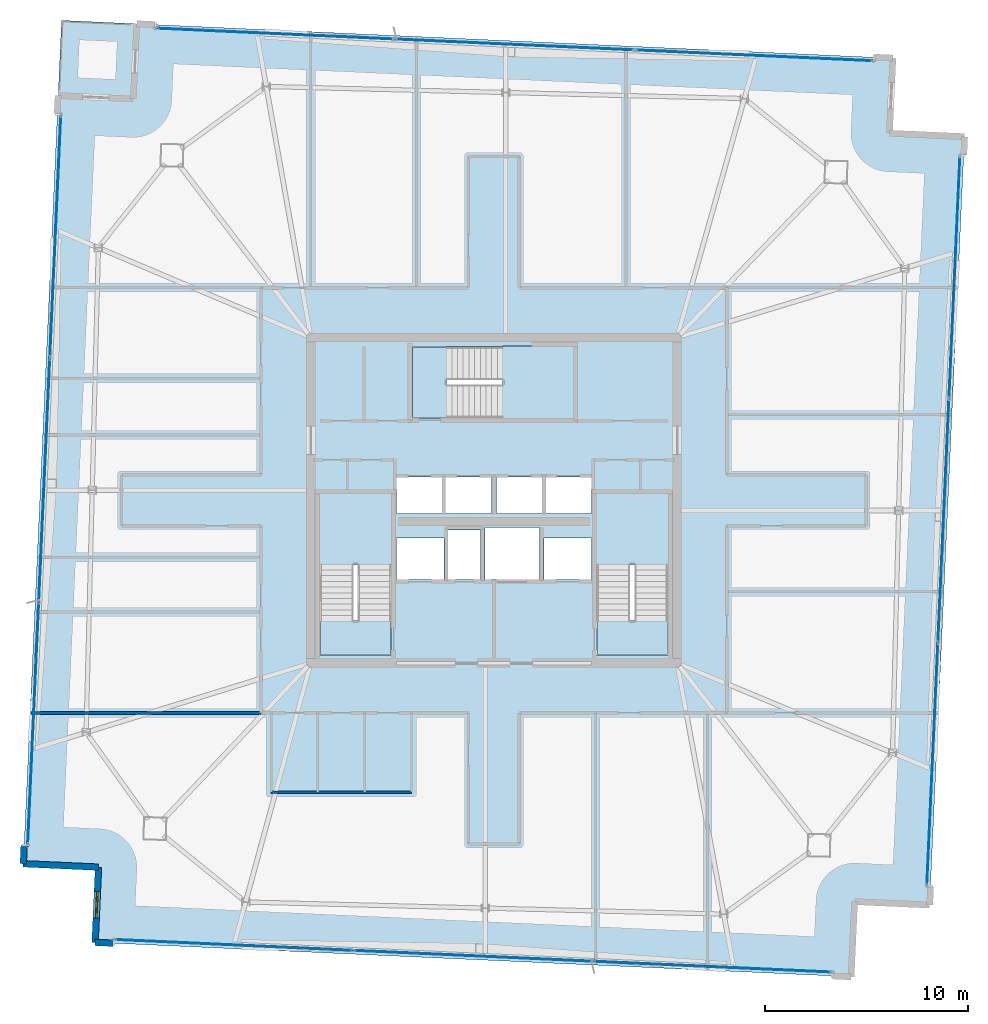
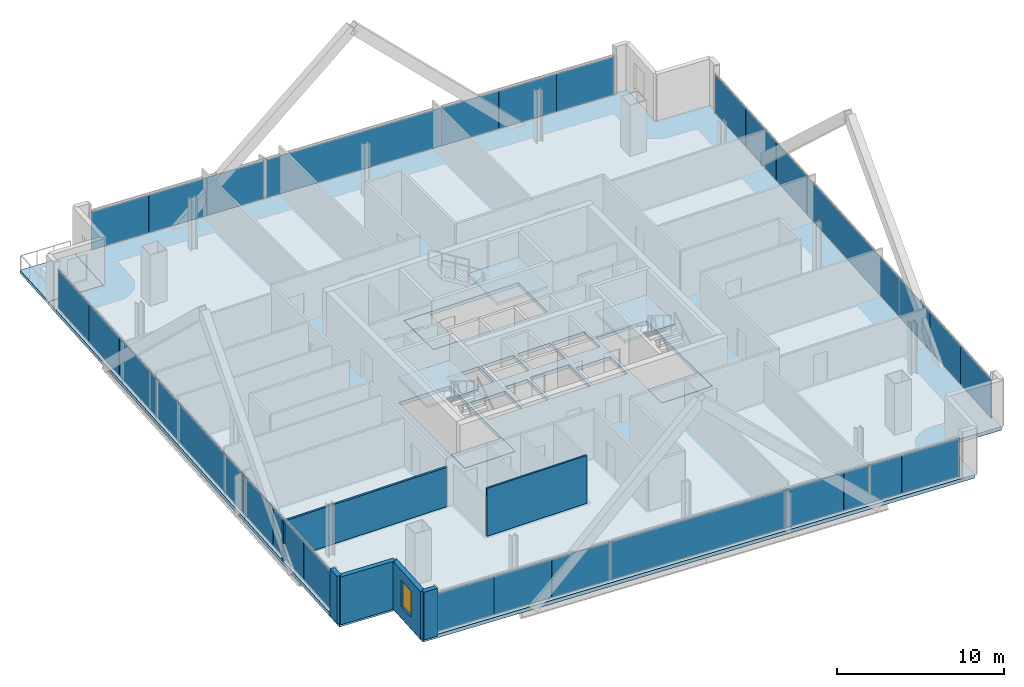
# One storey, part 19 of 26: 28 plates, 8 slabs, 6 walls, 1 window, 1 opening, 7 elements without a shape of their own.
"""IFC4 building model written with IfcOpenShell, lengths in metres."""

from ifc_helpers import new_model, si_unit, direction, frame, frame_2d, origin, origin_2d, place, context, subcontext, project, spatial, polyline, rectangle, outline, extrude, source, transform, mapped, material, layer, layer_set, type_object, element, fill, aggregate, save


model = new_model("IFC4")

# Units and contexts
model_context = context("Model", 3, precision=1e-05, world=origin(), true_north=direction((0.0, 1.0)))
body_context = subcontext(model_context, "Body", "Model", "MODEL_VIEW")
ifc_project = project(units=[si_unit("LENGTHUNIT", "METRE"), si_unit("AREAUNIT", "SQUARE_METRE"), si_unit("VOLUMEUNIT", "CUBIC_METRE"), si_unit("PLANEANGLEUNIT", "RADIAN"), si_unit("MASSUNIT", "GRAM", prefix="KILO")], contexts=[model_context])

# Site, building, storey
site_placement = place(None, origin())
site = spatial("IfcSite", under=ifc_project, at=site_placement, CompositionType="ELEMENT")
building_placement = place(site_placement, origin())
building = spatial("IfcBuilding", under=site, at=building_placement, Name="Haldenkirk Collegiate Tower", CompositionType="ELEMENT")
storey_placement = place(building_placement, frame((0.0, 0.0, 321.449951171875)))
storey = spatial("IfcBuildingStorey", under=building, at=storey_placement, Name="L81", CompositionType="ELEMENT", Elevation=321.449951171875)

# Slab
ifc_material_1 = material(Name="Concrete f'c 40 MPa", Category="concrete")
ifc_layer_1 = layer(ifc_material_1, 0.260009765625)
ifc_layer_set_1 = layer_set([ifc_layer_1], Name="Concrete f'c 40 MPa")
slab_type_1 = type_object("IfcSlabType", Name="SLB-FLR-260", PredefinedType="FLOOR", material=ifc_layer_set_1)
slab_1_placement = place(storey_placement, frame((0.0, 0.0, -0.260009765625)))
element("IfcSlab", 1, at=slab_1_placement, inside=storey, type_object=slab_type_1, Name="L81 composite structural floor slab", PredefinedType="FLOOR", context=body_context, shape_type="SweptSolid", body=[
    extrude(outline(polyline([(57.419677734375, 6.10791015625), (59.134521484375, 43.868896484375), (55.438232421875, 44.036865234375), (55.606201171875, 47.73291015625), (18.4443359375, 49.42041015625), (18.276611328125, 45.724365234375), (14.580322265625, 45.89208984375), (12.865478515625, 8.131103515625), (16.561767578125, 7.963134765625), (16.393798828125, 4.26708984375), (53.5556640625, 2.57958984375), (53.723388671875, 6.275634765625), (57.419677734375, 6.10791015625)]), holes=[polyline([(27.449951171875, 18.39990234375), (30.949951171875, 18.39990234375), (30.949951171875, 26.300048828125), (27.449951171875, 26.300048828125), (27.449951171875, 18.39990234375)]), polyline([(41.050048828125, 18.39990234375), (44.550048828125, 18.39990234375), (44.550048828125, 26.300048828125), (41.050048828125, 26.300048828125), (41.050048828125, 18.39990234375)]), polyline([(32.0, 30.050048828125), (39.89990234375, 30.050048828125), (39.89990234375, 33.550048828125), (32.0, 33.550048828125), (32.0, 30.050048828125)]), polyline([(33.75, 22.10009765625), (35.35009765625, 22.10009765625), (35.35009765625, 24.550048828125), (33.75, 24.550048828125), (33.75, 22.10009765625)]), polyline([(31.199951171875, 25.35009765625), (33.47998046875, 25.35009765625), (33.47998046875, 27.14990234375), (31.199951171875, 27.14990234375), (31.199951171875, 25.35009765625)]), polyline([(33.60009765625, 25.35009765625), (35.8798828125, 25.35009765625), (35.8798828125, 27.14990234375), (33.60009765625, 27.14990234375), (33.60009765625, 25.35009765625)]), polyline([(36.1201171875, 25.35009765625), (38.39990234375, 25.35009765625), (38.39990234375, 27.14990234375), (36.1201171875, 27.14990234375), (36.1201171875, 25.35009765625)]), polyline([(38.52001953125, 25.35009765625), (40.800048828125, 25.35009765625), (40.800048828125, 27.14990234375), (38.52001953125, 27.14990234375), (38.52001953125, 25.35009765625)]), polyline([(31.199951171875, 22.10009765625), (33.550048828125, 22.10009765625), (33.550048828125, 24.14990234375), (31.199951171875, 24.14990234375), (31.199951171875, 22.10009765625)]), polyline([(38.449951171875, 22.10009765625), (40.800048828125, 22.10009765625), (40.800048828125, 24.14990234375), (38.449951171875, 24.14990234375), (38.449951171875, 22.10009765625)]), polyline([(35.550048828125, 22.10009765625), (38.25, 22.10009765625), (38.25, 24.64990234375), (35.550048828125, 24.64990234375), (35.550048828125, 22.10009765625)])]), origin(), (0.0, 0.0, 1.0), 0.260009765625),
])

# Stair, slab
stair_type = type_object("IfcStairType", Name="STR-DOGLEG-1650", PredefinedType="HALF_TURN_STAIR", material=ifc_material_1)
stair_1_placement = place(storey_placement, origin())
stair_1 = element("IfcStair", 2, at=stair_1_placement, inside=storey, type_object=stair_type, Name="L81 Core Exit Stair ST-1", PredefinedType="HALF_TURN_STAIR")
ifc_layer_2 = layer(ifc_material_1, 0.199951171875)
ifc_layer_set_2 = layer_set([ifc_layer_2], Name="Concrete f'c 40 MPa")
slab_type_2 = type_object("IfcSlabType", Name="SLB-LANDING-200", PredefinedType="LANDING", material=ifc_layer_set_2)
slab_2_placement = place(storey_placement, frame((0.0, 0.0, 1.675048828125)))
slab_2 = element("IfcSlab", 3, at=slab_2_placement, type_object=slab_type_2, Name="ST-1 landing 1", PredefinedType="LANDING", context=body_context, shape_type="SweptSolid", body=[
    extrude(outline(polyline([(30.97509765625, 22.824951171875), (27.425048828125, 22.824951171875), (27.425048828125, 26.324951171875), (30.97509765625, 26.324951171875), (30.97509765625, 22.824951171875)])), origin(), (0.0, 0.0, 1.0), 0.199951171875),
])
aggregate(stair_1, [slab_2])

stair_2_placement = place(storey_placement, origin())
stair_2 = element("IfcStair", 4, at=stair_2_placement, inside=storey, type_object=stair_type, Name="L81 Core Exit Stair ST-2", PredefinedType="HALF_TURN_STAIR")
slab_3_placement = place(storey_placement, frame((0.0, 0.0, 1.675048828125)))
slab_3 = element("IfcSlab", 5, at=slab_3_placement, type_object=slab_type_2, Name="ST-2 landing 1", PredefinedType="LANDING", context=body_context, shape_type="SweptSolid", body=[
    extrude(outline(polyline([(44.574951171875, 22.824951171875), (41.02490234375, 22.824951171875), (41.02490234375, 26.324951171875), (44.574951171875, 26.324951171875), (44.574951171875, 22.824951171875)])), origin(), (0.0, 0.0, 1.0), 0.199951171875),
])
aggregate(stair_2, [slab_3])

stair_3_placement = place(storey_placement, origin())
stair_3 = element("IfcStair", 6, at=stair_3_placement, inside=storey, type_object=stair_type, Name="L81 Core Exit Stair ST-3", PredefinedType="HALF_TURN_STAIR")
slab_4_placement = place(storey_placement, frame((0.0, 0.0, 1.675048828125)))
slab_4 = element("IfcSlab", 7, at=slab_4_placement, type_object=slab_type_2, Name="ST-3 landing 1", PredefinedType="LANDING", context=body_context, shape_type="SweptSolid", body=[
    extrude(outline(polyline([(36.425048828125, 30.02490234375), (36.425048828125, 33.574951171875), (39.925048828125, 33.574951171875), (39.925048828125, 30.02490234375), (36.425048828125, 30.02490234375)])), origin(), (0.0, 0.0, 1.0), 0.199951171875),
])
aggregate(stair_3, [slab_4])

# Slabs
ifc_layer_3 = layer(ifc_material_1, 0.25)
ifc_layer_set_3 = layer_set([ifc_layer_3], Name="Concrete f'c 40 MPa")
slab_type_3 = type_object("IfcSlabType", Name="SLB-STAIRLAND-250", PredefinedType="LANDING", material=ifc_layer_set_3)
slab_5_placement = place(storey_placement, frame((0.0, 0.0, -0.25)))
element("IfcSlab", 8, at=slab_5_placement, inside=storey, type_object=slab_type_3, Name="L81 stair ST1 structural floor landing slab", PredefinedType="LANDING", context=body_context, shape_type="SweptSolid", body=[
    extrude(outline(polyline([(27.4599609375, 18.409912109375), (30.93994140625, 18.409912109375), (30.93994140625, 20.080078125), (27.4599609375, 20.080078125), (27.4599609375, 18.409912109375)])), origin(), (0.0, 0.0, 1.0), 0.25),
])
slab_6_placement = place(storey_placement, frame((0.0, 0.0, -0.25)))
element("IfcSlab", 9, at=slab_6_placement, inside=storey, type_object=slab_type_3, Name="L81 stair ST2 structural floor landing slab", PredefinedType="LANDING", context=body_context, shape_type="SweptSolid", body=[
    extrude(outline(polyline([(41.06005859375, 18.409912109375), (44.5400390625, 18.409912109375), (44.5400390625, 20.080078125), (41.06005859375, 20.080078125), (41.06005859375, 18.409912109375)])), origin(), (0.0, 0.0, 1.0), 0.25),
])
slab_7_placement = place(storey_placement, frame((0.0, 0.0, -0.25)))
element("IfcSlab", 10, at=slab_7_placement, inside=storey, type_object=slab_type_3, Name="L81 stair ST3 structural floor landing slab", PredefinedType="LANDING", context=body_context, shape_type="SweptSolid", body=[
    extrude(outline(polyline([(32.010009765625, 30.06005859375), (33.679931640625, 30.06005859375), (33.679931640625, 33.5400390625), (32.010009765625, 33.5400390625), (32.010009765625, 30.06005859375)])), origin(), (0.0, 0.0, 1.0), 0.25),
])
ifc_layer_4 = layer(ifc_material_1, 0.22998046875)
ifc_layer_set_4 = layer_set([ifc_layer_4], Name="Concrete f'c 40 MPa")
slab_type_4 = type_object("IfcSlabType", Name="SLB-TERR-SPIRAL-230", PredefinedType="FLOOR", material=ifc_layer_set_4)
slab_8_placement = place(storey_placement, frame((0.0, 0.0, -0.22998046875)))
element("IfcSlab", 11, at=slab_8_placement, inside=storey, type_object=slab_type_4, Name="L81 spiralling corner terrace slab", PredefinedType="FLOOR", context=body_context, shape_type="SweptSolid", body=[
    extrude(outline(polyline([(18.276611328125, 45.724365234375), (18.4443359375, 49.42041015625), (14.748291015625, 49.58837890625), (14.580322265625, 45.89208984375), (18.276611328125, 45.724365234375)])), origin(), (0.0, 0.0, 1.0), 0.22998046875),
])

# Curtain wall, plates
ifc_material_2 = material(Name="Anodised architectural bronze aluminium", Category="aluminium")
curtain_wall_type_1 = type_object("IfcCurtainWallType", Name="CW-SYS2-CONCAVE", PredefinedType="USERDEFINED", material=ifc_material_2)
curtain_wall_1_placement = place(storey_placement, origin())
curtain_wall_1 = element("IfcCurtainWall", 12, at=curtain_wall_1_placement, inside=storey, type_object=curtain_wall_type_1, Name="L81 South concave recessed bronze-anodised curtain wall", ObjectType="UNITISED CURTAIN WALL", PredefinedType="USERDEFINED")
ifc_material_3 = material(Name="Low-E argon triple insulating glass", Category="glass")
ifc_layer_5 = layer(ifc_material_3, 0.0419921875)
ifc_layer_set_5 = layer_set([ifc_layer_5], Name="Low-E argon triple insulating glass")
plate_type_1 = type_object("IfcPlateType", Name="CW-PNL-02", PredefinedType="CURTAIN_PANEL", material=ifc_layer_set_5)
shared_shape_1 = source(origin(), body_context, "Body", "SweptSolid", [
    extrude(rectangle(XDim=3.949951171875, YDim=0.0419921875, at=origin_2d()), origin(), (0.0, 0.0, 1.0), 2.798095703125),
])
plate_1_placement = place(storey_placement, frame((58.82080078125, 40.93017578125, 0.0751953125), z_axis=(0.0, 0.0, 1.0), x_axis=(-0.045364063906, -0.998970520939, 0.0)))
plate_1 = element("IfcPlate", 13, at=plate_1_placement, type_object=plate_type_1, Name="CW-02 panel 1.1a", PredefinedType="CURTAIN_PANEL", context=body_context, shape_type="MappedRepresentation", body=[
    mapped(shared_shape_1, transform((0.0, 0.0, 0.0), x_axis=(1.0, 0.0, 0.0), y_axis=(0.0, 1.0, 0.0), z_axis=(0.0, 0.0, 1.0), scale=1.0)),
])
ifc_material_4 = material(Name="Bronze-anodised insulated aluminium spandrel panel", Category="aluminium")
ifc_layer_6 = layer(ifc_material_4, 0.0419921875)
ifc_layer_set_6 = layer_set([ifc_layer_6], Name="Bronze-anodised insulated aluminium spandrel panel")
plate_type_2 = type_object("IfcPlateType", Name="CW-SPD-02", PredefinedType="CURTAIN_PANEL", material=ifc_layer_set_6)
plate_2_placement = place(storey_placement, frame((58.460693359375, 33.000732421875, 0.0751953125), z_axis=(0.0, 0.0, 1.0), x_axis=(-0.045364063906, -0.998970520939, 0.0)))
plate_2 = element("IfcPlate", 14, at=plate_2_placement, type_object=plate_type_2, Name="CW-02 spandrel panel 1.1c", PredefinedType="CURTAIN_PANEL", context=body_context, shape_type="MappedRepresentation", body=[
    mapped(shared_shape_1, transform((0.0, 0.0, 0.0), x_axis=(1.0, 0.0, 0.0), y_axis=(0.0, 1.0, 0.0), z_axis=(0.0, 0.0, 1.0), scale=1.0)),
])
plate_3_placement = place(storey_placement, frame((57.73388671875, 16.992431640625, 0.0751953125), z_axis=(0.0, 0.0, 1.0), x_axis=(-0.045364063906, -0.998970520939, 0.0)))
plate_3 = element("IfcPlate", 15, at=plate_3_placement, type_object=plate_type_2, Name="CW-02 spandrel panel 3.1a", PredefinedType="CURTAIN_PANEL", context=body_context, shape_type="MappedRepresentation", body=[
    mapped(shared_shape_1, transform((0.0, 0.0, 0.0), x_axis=(1.0, 0.0, 0.0), y_axis=(0.0, 1.0, 0.0), z_axis=(0.0, 0.0, 1.0), scale=1.0)),
])
plate_4_placement = place(storey_placement, frame((57.373779296875, 9.06298828125, 0.0751953125), z_axis=(0.0, 0.0, 1.0), x_axis=(-0.045364063906, -0.998970520939, 0.0)))
plate_4 = element("IfcPlate", 16, at=plate_4_placement, type_object=plate_type_1, Name="CW-02 panel 3.1c", PredefinedType="CURTAIN_PANEL", context=body_context, shape_type="MappedRepresentation", body=[
    mapped(shared_shape_1, transform((0.0, 0.0, 0.0), x_axis=(1.0, 0.0, 0.0), y_axis=(0.0, 1.0, 0.0), z_axis=(0.0, 0.0, 1.0), scale=1.0)),
])
shared_shape_2 = source(origin(), body_context, "Body", "SweptSolid", [
    extrude(rectangle(XDim=3.9375, YDim=0.0419921875, at=origin_2d()), origin(), (0.0, 0.0, 1.0), 2.798095703125),
])
plate_5_placement = place(storey_placement, frame((58.640869140625, 36.965576171875, 0.0751953125), z_axis=(0.0, 0.0, 1.0), x_axis=(-0.045364063906, -0.998970520939, 0.0)))
plate_5 = element("IfcPlate", 17, at=plate_5_placement, type_object=plate_type_2, Name="CW-02 spandrel panel 1.1b", PredefinedType="CURTAIN_PANEL", context=body_context, shape_type="MappedRepresentation", body=[
    mapped(shared_shape_2, transform((0.0, 0.0, 0.0), x_axis=(1.0, 0.0, 0.0), y_axis=(0.0, 1.0, 0.0), z_axis=(0.0, 0.0, 1.0), scale=1.0)),
])
plate_6_placement = place(storey_placement, frame((57.5537109375, 13.027587890625, 0.0751953125), z_axis=(0.0, 0.0, 1.0), x_axis=(-0.045364063906, -0.998970520939, 0.0)))
plate_6 = element("IfcPlate", 18, at=plate_6_placement, type_object=plate_type_2, Name="CW-02 spandrel panel 3.1b", PredefinedType="CURTAIN_PANEL", context=body_context, shape_type="MappedRepresentation", body=[
    mapped(shared_shape_2, transform((0.0, 0.0, 0.0), x_axis=(1.0, 0.0, 0.0), y_axis=(0.0, 1.0, 0.0), z_axis=(0.0, 0.0, 1.0), scale=1.0)),
])

curtain_wall_type_2 = type_object("IfcCurtainWallType", Name="CW-SYS1B-CONVEX-HI", PredefinedType="USERDEFINED", material=ifc_material_2)
curtain_wall_2_placement = place(storey_placement, origin())
curtain_wall_2 = element("IfcCurtainWall", 19, at=curtain_wall_2_placement, inside=storey, type_object=curtain_wall_type_2, Name="L81 Upper tower high-wind convex bronze unitised curtain wall", ObjectType="UNITISED CURTAIN WALL", PredefinedType="USERDEFINED")
ifc_layer_7 = layer(ifc_material_3, 0.048095703125)
ifc_layer_set_7 = layer_set([ifc_layer_7], Name="Low-E argon triple insulating glass")
plate_type_3 = type_object("IfcPlateType", Name="CW-PNL-1B", PredefinedType="CURTAIN_PANEL", material=ifc_layer_set_7)
shared_shape_3 = source(origin(), body_context, "Body", "SweptSolid", [
    extrude(rectangle(XDim=3.945068359375, YDim=0.048095703125, at=origin_2d()), origin(), (0.0, 0.0, 1.0), 2.778076171875),
])
plate_7_placement = place(storey_placement, frame((13.179443359375, 11.077392578125, 0.0849609375), z_axis=(0.0, 0.0, 1.0), x_axis=(0.045364063906, 0.998970520939, 0.0)))
plate_7 = element("IfcPlate", 20, at=plate_7_placement, type_object=plate_type_3, Name="CW-1B panel 1.1a", PredefinedType="CURTAIN_PANEL", context=body_context, shape_type="MappedRepresentation", body=[
    mapped(shared_shape_3, transform((0.0, 0.0, 0.0), x_axis=(1.0, 0.0, 0.0), y_axis=(0.0, 1.0, 0.0), z_axis=(0.0, 0.0, 1.0), scale=1.0)),
])
ifc_layer_8 = layer(ifc_material_4, 0.048095703125)
ifc_layer_set_8 = layer_set([ifc_layer_8], Name="Bronze-anodised insulated aluminium spandrel panel")
plate_type_4 = type_object("IfcPlateType", Name="CW-SPD-1B", PredefinedType="CURTAIN_PANEL", material=ifc_layer_set_8)
plate_8_placement = place(storey_placement, frame((13.539306640625, 18.99658203125, 0.0849609375), z_axis=(0.0, 0.0, 1.0), x_axis=(0.045364063906, 0.998970520939, 0.0)))
plate_8 = element("IfcPlate", 21, at=plate_8_placement, type_object=plate_type_4, Name="CW-1B spandrel panel 1.1c", PredefinedType="CURTAIN_PANEL", context=body_context, shape_type="MappedRepresentation", body=[
    mapped(shared_shape_3, transform((0.0, 0.0, 0.0), x_axis=(1.0, 0.0, 0.0), y_axis=(0.0, 1.0, 0.0), z_axis=(0.0, 0.0, 1.0), scale=1.0)),
])
plate_9_placement = place(storey_placement, frame((14.266357421875, 35.010009765625, 0.0849609375), z_axis=(0.0, 0.0, 1.0), x_axis=(0.045364063906, 0.998970520939, 0.0)))
plate_9 = element("IfcPlate", 22, at=plate_9_placement, type_object=plate_type_4, Name="CW-1B spandrel panel 3.1a", PredefinedType="CURTAIN_PANEL", context=body_context, shape_type="MappedRepresentation", body=[
    mapped(shared_shape_3, transform((0.0, 0.0, 0.0), x_axis=(1.0, 0.0, 0.0), y_axis=(0.0, 1.0, 0.0), z_axis=(0.0, 0.0, 1.0), scale=1.0)),
])
plate_10_placement = place(storey_placement, frame((14.6259765625, 42.929443359375, 0.0849609375), z_axis=(0.0, 0.0, 1.0), x_axis=(0.045364063906, 0.998970520939, 0.0)))
plate_10 = element("IfcPlate", 23, at=plate_10_placement, type_object=plate_type_3, Name="CW-1B panel 3.1c", PredefinedType="CURTAIN_PANEL", context=body_context, shape_type="MappedRepresentation", body=[
    mapped(shared_shape_3, transform((0.0, 0.0, 0.0), x_axis=(1.0, 0.0, 0.0), y_axis=(0.0, 1.0, 0.0), z_axis=(0.0, 0.0, 1.0), scale=1.0)),
])
shared_shape_4 = source(origin(), body_context, "Body", "SweptSolid", [
    extrude(rectangle(XDim=3.9326171875, YDim=0.048095703125, at=origin_2d()), origin(), (0.0, 0.0, 1.0), 2.778076171875),
])
plate_11_placement = place(storey_placement, frame((13.359375, 15.037109375, 0.0849609375), z_axis=(0.0, 0.0, 1.0), x_axis=(0.045364063906, 0.998970520939, 0.0)))
plate_11 = element("IfcPlate", 24, at=plate_11_placement, type_object=plate_type_4, Name="CW-1B spandrel panel 1.1b", PredefinedType="CURTAIN_PANEL", context=body_context, shape_type="MappedRepresentation", body=[
    mapped(shared_shape_4, transform((0.0, 0.0, 0.0), x_axis=(1.0, 0.0, 0.0), y_axis=(0.0, 1.0, 0.0), z_axis=(0.0, 0.0, 1.0), scale=1.0)),
])
plate_12_placement = place(storey_placement, frame((14.4462890625, 38.9697265625, 0.0849609375), z_axis=(0.0, 0.0, 1.0), x_axis=(0.045364063906, 0.998970520939, 0.0)))
plate_12 = element("IfcPlate", 25, at=plate_12_placement, type_object=plate_type_4, Name="CW-1B spandrel panel 3.1b", PredefinedType="CURTAIN_PANEL", context=body_context, shape_type="MappedRepresentation", body=[
    mapped(shared_shape_4, transform((0.0, 0.0, 0.0), x_axis=(1.0, 0.0, 0.0), y_axis=(0.0, 1.0, 0.0), z_axis=(0.0, 0.0, 1.0), scale=1.0)),
])

curtain_wall_3_placement = place(storey_placement, origin())
curtain_wall_3 = element("IfcCurtainWall", 26, at=curtain_wall_3_placement, inside=storey, type_object=curtain_wall_type_2, Name="L81 Upper tower high-wind convex bronze unitised curtain wall", ObjectType="UNITISED CURTAIN WALL", PredefinedType="USERDEFINED")
shared_shape_5 = source(origin(), body_context, "Body", "SweptSolid", [
    extrude(rectangle(XDim=3.87841796875, YDim=0.048095703125, at=origin_2d()), origin(), (0.0, 0.0, 1.0), 2.778076171875),
])
plate_13_placement = place(storey_placement, frame((21.357421875, 49.108154296875, 0.0849609375), z_axis=(0.0, 0.0, 1.0), x_axis=(0.99897050212, -0.045364478326, 0.0)))
plate_13 = element("IfcPlate", 27, at=plate_13_placement, type_object=plate_type_3, Name="CW-1B panel 1.1a", PredefinedType="CURTAIN_PANEL", context=body_context, shape_type="MappedRepresentation", body=[
    mapped(shared_shape_5, transform((0.0, 0.0, 0.0), x_axis=(1.0, 0.0, 0.0), y_axis=(0.0, 1.0, 0.0), z_axis=(0.0, 0.0, 1.0), scale=1.0)),
])
plate_14_placement = place(storey_placement, frame((29.1435546875, 48.75439453125, 0.0849609375), z_axis=(0.0, 0.0, 1.0), x_axis=(0.99897050212, -0.045364478326, 0.0)))
plate_14 = element("IfcPlate", 28, at=plate_14_placement, type_object=plate_type_4, Name="CW-1B spandrel panel 1.1c", PredefinedType="CURTAIN_PANEL", context=body_context, shape_type="MappedRepresentation", body=[
    mapped(shared_shape_5, transform((0.0, 0.0, 0.0), x_axis=(1.0, 0.0, 0.0), y_axis=(0.0, 1.0, 0.0), z_axis=(0.0, 0.0, 1.0), scale=1.0)),
])
plate_15_placement = place(storey_placement, frame((44.890625, 48.039306640625, 0.0849609375), z_axis=(0.0, 0.0, 1.0), x_axis=(0.99897050212, -0.045364478326, 0.0)))
plate_15 = element("IfcPlate", 29, at=plate_15_placement, type_object=plate_type_4, Name="CW-1B spandrel panel 3.1a", PredefinedType="CURTAIN_PANEL", context=body_context, shape_type="MappedRepresentation", body=[
    mapped(shared_shape_5, transform((0.0, 0.0, 0.0), x_axis=(1.0, 0.0, 0.0), y_axis=(0.0, 1.0, 0.0), z_axis=(0.0, 0.0, 1.0), scale=1.0)),
])
plate_16_placement = place(storey_placement, frame((52.6767578125, 47.685791015625, 0.0849609375), z_axis=(0.0, 0.0, 1.0), x_axis=(0.99897050212, -0.045364478326, 0.0)))
plate_16 = element("IfcPlate", 30, at=plate_16_placement, type_object=plate_type_3, Name="CW-1B panel 3.1c", PredefinedType="CURTAIN_PANEL", context=body_context, shape_type="MappedRepresentation", body=[
    mapped(shared_shape_5, transform((0.0, 0.0, 0.0), x_axis=(1.0, 0.0, 0.0), y_axis=(0.0, 1.0, 0.0), z_axis=(0.0, 0.0, 1.0), scale=1.0)),
])

curtain_wall_4_placement = place(storey_placement, origin())
curtain_wall_4 = element("IfcCurtainWall", 31, at=curtain_wall_4_placement, inside=storey, type_object=curtain_wall_type_2, Name="L81 Upper tower high-wind convex bronze unitised curtain wall", ObjectType="UNITISED CURTAIN WALL", PredefinedType="USERDEFINED")
plate_17_placement = place(storey_placement, frame((50.642578125, 2.891845703125, 0.0849609375), z_axis=(0.0, 0.0, 1.0), x_axis=(-0.99897050212, 0.045364478326, 0.0)))
plate_17 = element("IfcPlate", 32, at=plate_17_placement, type_object=plate_type_3, Name="CW-1B panel 1.1a", PredefinedType="CURTAIN_PANEL", context=body_context, shape_type="MappedRepresentation", body=[
    mapped(shared_shape_5, transform((0.0, 0.0, 0.0), x_axis=(1.0, 0.0, 0.0), y_axis=(0.0, 1.0, 0.0), z_axis=(0.0, 0.0, 1.0), scale=1.0)),
])
plate_18_placement = place(storey_placement, frame((42.8564453125, 3.24560546875, 0.0849609375), z_axis=(0.0, 0.0, 1.0), x_axis=(-0.99897050212, 0.045364478326, 0.0)))
plate_18 = element("IfcPlate", 33, at=plate_18_placement, type_object=plate_type_4, Name="CW-1B spandrel panel 1.1c", PredefinedType="CURTAIN_PANEL", context=body_context, shape_type="MappedRepresentation", body=[
    mapped(shared_shape_5, transform((0.0, 0.0, 0.0), x_axis=(1.0, 0.0, 0.0), y_axis=(0.0, 1.0, 0.0), z_axis=(0.0, 0.0, 1.0), scale=1.0)),
])
plate_19_placement = place(storey_placement, frame((27.109375, 3.960693359375, 0.0849609375), z_axis=(0.0, 0.0, 1.0), x_axis=(-0.99897050212, 0.045364478326, 0.0)))
plate_19 = element("IfcPlate", 34, at=plate_19_placement, type_object=plate_type_4, Name="CW-1B spandrel panel 3.1a", PredefinedType="CURTAIN_PANEL", context=body_context, shape_type="MappedRepresentation", body=[
    mapped(shared_shape_5, transform((0.0, 0.0, 0.0), x_axis=(1.0, 0.0, 0.0), y_axis=(0.0, 1.0, 0.0), z_axis=(0.0, 0.0, 1.0), scale=1.0)),
])
plate_20_placement = place(storey_placement, frame((19.3232421875, 4.314208984375, 0.0849609375), z_axis=(0.0, 0.0, 1.0), x_axis=(-0.99897050212, 0.045364478326, 0.0)))
plate_20 = element("IfcPlate", 35, at=plate_20_placement, type_object=plate_type_3, Name="CW-1B panel 3.1c", PredefinedType="CURTAIN_PANEL", context=body_context, shape_type="MappedRepresentation", body=[
    mapped(shared_shape_5, transform((0.0, 0.0, 0.0), x_axis=(1.0, 0.0, 0.0), y_axis=(0.0, 1.0, 0.0), z_axis=(0.0, 0.0, 1.0), scale=1.0)),
])

# Plate
shared_shape_6 = source(origin(), body_context, "Body", "SweptSolid", [
    extrude(rectangle(XDim=3.86572265625, YDim=0.048095703125, at=origin_2d()), origin(), (0.0, 0.0, 1.0), 2.778076171875),
])
plate_21_placement = place(storey_placement, frame((25.25048828125, 48.931396484375, 0.0849609375), z_axis=(0.0, 0.0, 1.0), x_axis=(0.99897050212, -0.045364478326, 0.0)))
plate_21 = element("IfcPlate", 36, at=plate_21_placement, type_object=plate_type_4, Name="CW-1B spandrel panel 1.1b", PredefinedType="CURTAIN_PANEL", context=body_context, shape_type="MappedRepresentation", body=[
    mapped(shared_shape_6, transform((0.0, 0.0, 0.0), x_axis=(1.0, 0.0, 0.0), y_axis=(0.0, 1.0, 0.0), z_axis=(0.0, 0.0, 1.0), scale=1.0)),
])

plate_22_placement = place(storey_placement, frame((48.78369140625, 47.862548828125, 0.0849609375), z_axis=(0.0, 0.0, 1.0), x_axis=(0.99897050212, -0.045364478326, 0.0)))
plate_22 = element("IfcPlate", 37, at=plate_22_placement, type_object=plate_type_4, Name="CW-1B spandrel panel 3.1b", PredefinedType="CURTAIN_PANEL", context=body_context, shape_type="MappedRepresentation", body=[
    mapped(shared_shape_6, transform((0.0, 0.0, 0.0), x_axis=(1.0, 0.0, 0.0), y_axis=(0.0, 1.0, 0.0), z_axis=(0.0, 0.0, 1.0), scale=1.0)),
])

plate_23_placement = place(storey_placement, frame((46.74951171875, 3.068603515625, 0.0849609375), z_axis=(0.0, 0.0, 1.0), x_axis=(-0.99897050212, 0.045364478326, 0.0)))
plate_23 = element("IfcPlate", 38, at=plate_23_placement, type_object=plate_type_4, Name="CW-1B spandrel panel 1.1b", PredefinedType="CURTAIN_PANEL", context=body_context, shape_type="MappedRepresentation", body=[
    mapped(shared_shape_6, transform((0.0, 0.0, 0.0), x_axis=(1.0, 0.0, 0.0), y_axis=(0.0, 1.0, 0.0), z_axis=(0.0, 0.0, 1.0), scale=1.0)),
])

plate_24_placement = place(storey_placement, frame((23.21630859375, 4.137451171875, 0.0849609375), z_axis=(0.0, 0.0, 1.0), x_axis=(-0.99897050212, 0.045364478326, 0.0)))
plate_24 = element("IfcPlate", 39, at=plate_24_placement, type_object=plate_type_4, Name="CW-1B spandrel panel 3.1b", PredefinedType="CURTAIN_PANEL", context=body_context, shape_type="MappedRepresentation", body=[
    mapped(shared_shape_6, transform((0.0, 0.0, 0.0), x_axis=(1.0, 0.0, 0.0), y_axis=(0.0, 1.0, 0.0), z_axis=(0.0, 0.0, 1.0), scale=1.0)),
])

shared_shape_7 = source(origin(), body_context, "Body", "SweptSolid", [
    extrude(rectangle(XDim=11.925048828125, YDim=0.0419921875, at=origin_2d()), origin(), (0.0, 0.0, 1.0), 2.798095703125),
])
plate_25_placement = place(storey_placement, frame((58.09716796875, 24.99658203125, 0.0751953125), z_axis=(0.0, 0.0, 1.0), x_axis=(-0.045364063906, -0.998970520939, 0.0)))
plate_25 = element("IfcPlate", 40, at=plate_25_placement, type_object=plate_type_1, Name="CW-02 panel 2.1", PredefinedType="CURTAIN_PANEL", context=body_context, shape_type="MappedRepresentation", body=[
    mapped(shared_shape_7, transform((0.0, 0.0, 0.0), x_axis=(1.0, 0.0, 0.0), y_axis=(0.0, 1.0, 0.0), z_axis=(0.0, 0.0, 1.0), scale=1.0)),
])

aggregate(curtain_wall_1, [plate_1, plate_5, plate_2, plate_25, plate_3, plate_6, plate_4])

shared_shape_8 = source(origin(), body_context, "Body", "SweptSolid", [
    extrude(rectangle(XDim=11.715087890625, YDim=0.048095703125, at=origin_2d()), origin(), (0.0, 0.0, 1.0), 2.778076171875),
])
plate_26_placement = place(storey_placement, frame((37.01708984375, 48.39697265625, 0.0849609375), z_axis=(0.0, 0.0, 1.0), x_axis=(0.99897050212, -0.045364478326, 0.0)))
plate_26 = element("IfcPlate", 41, at=plate_26_placement, type_object=plate_type_3, Name="CW-1B panel 2.1", PredefinedType="CURTAIN_PANEL", context=body_context, shape_type="MappedRepresentation", body=[
    mapped(shared_shape_8, transform((0.0, 0.0, 0.0), x_axis=(1.0, 0.0, 0.0), y_axis=(0.0, 1.0, 0.0), z_axis=(0.0, 0.0, 1.0), scale=1.0)),
])

aggregate(curtain_wall_3, [plate_13, plate_21, plate_14, plate_26, plate_15, plate_22, plate_16])

plate_27_placement = place(storey_placement, frame((34.98291015625, 3.60302734375, 0.0849609375), z_axis=(0.0, 0.0, 1.0), x_axis=(-0.99897050212, 0.045364478326, 0.0)))
plate_27 = element("IfcPlate", 42, at=plate_27_placement, type_object=plate_type_3, Name="CW-1B panel 2.1", PredefinedType="CURTAIN_PANEL", context=body_context, shape_type="MappedRepresentation", body=[
    mapped(shared_shape_8, transform((0.0, 0.0, 0.0), x_axis=(1.0, 0.0, 0.0), y_axis=(0.0, 1.0, 0.0), z_axis=(0.0, 0.0, 1.0), scale=1.0)),
])

aggregate(curtain_wall_4, [plate_17, plate_23, plate_18, plate_27, plate_19, plate_24, plate_20])

shared_shape_9 = source(origin(), body_context, "Body", "SweptSolid", [
    extrude(rectangle(XDim=11.9150390625, YDim=0.048095703125, at=origin_2d()), origin(), (0.0, 0.0, 1.0), 2.778076171875),
])
plate_28_placement = place(storey_placement, frame((13.90283203125, 27.00341796875, 0.0849609375), z_axis=(0.0, 0.0, 1.0), x_axis=(0.045364063906, 0.998970520939, 0.0)))
plate_28 = element("IfcPlate", 43, at=plate_28_placement, type_object=plate_type_3, Name="CW-1B panel 2.1", PredefinedType="CURTAIN_PANEL", context=body_context, shape_type="MappedRepresentation", body=[
    mapped(shared_shape_9, transform((0.0, 0.0, 0.0), x_axis=(1.0, 0.0, 0.0), y_axis=(0.0, 1.0, 0.0), z_axis=(0.0, 0.0, 1.0), scale=1.0)),
])

aggregate(curtain_wall_2, [plate_7, plate_11, plate_8, plate_28, plate_9, plate_12, plate_10])

# Walls
ifc_material_5 = material(Name="Precast concrete f'c 40 MPa", Category="concrete")
ifc_layer_9 = layer(ifc_material_5, 0.320068359375)
ifc_layer_set_9 = layer_set([ifc_layer_9], Name="Precast concrete f'c 40 MPa")
wall_type_1 = type_object("IfcWallType", Name="WL-EXT-TWR-320", PredefinedType="STANDARD", material=ifc_layer_set_9)
wall_1_placement = place(storey_placement, frame((12.865478515625, 8.131103515625, 0.0), z_axis=(0.0, 0.0, 1.0), x_axis=(0.04556760554, 0.998961257169, 0.0)))
element("IfcWall", 44, at=wall_1_placement, inside=storey, type_object=wall_type_1, Name="L81 precast corner pier NL", PredefinedType="STANDARD", context=body_context, shape_type="SweptSolid", body=[
    extrude(rectangle(XDim=0.900146484375, YDim=0.320068359375, at=frame_2d((0.4501953125, 0.0))), origin(), (0.0, 0.0, 1.0), 3.489990234375),
])
wall_2_placement = place(storey_placement, frame((16.561767578125, 7.963134765625, 0.0), z_axis=(0.0, 0.0, 1.0), x_axis=(-0.998969084321, 0.045395688904, 0.0)))
element("IfcWall", 45, at=wall_2_placement, inside=storey, type_object=wall_type_1, Name="L81 bronze precast notch wall 08", PredefinedType="STANDARD", context=body_context, shape_type="SweptSolid", body=[
    extrude(rectangle(XDim=3.7001953125, YDim=0.320068359375, at=frame_2d((1.85009765625, 0.0))), origin(), (0.0, 0.0, 1.0), 3.489990234375),
])

# Wall, opening, window
wall_3_placement = place(storey_placement, frame((16.393798828125, 4.26708984375, 0.0), z_axis=(0.0, 0.0, 1.0), x_axis=(0.045398681317, 0.998968948334, 0.0)))
wall_3 = element("IfcWall", 46, at=wall_3_placement, inside=storey, type_object=wall_type_1, Name="L81 bronze precast notch wall 09", PredefinedType="STANDARD", context=body_context, shape_type="SweptSolid", body=[
    extrude(rectangle(XDim=3.699951171875, YDim=0.320068359375, at=frame_2d((1.85009765625, 0.0))), origin(), (0.0, 0.0, 1.0), 3.489990234375),
])
opening_placement = place(wall_3_placement, frame((1.199951171875, 0.0, 0.85009765625)))
opening = element("IfcOpeningElement", 47, at=opening_placement, cuts=wall_3, Name="Opening W-08", PredefinedType="OPENING", context=body_context, shape_type="SweptSolid", body=[
    extrude(rectangle(XDim=1.300048828125, YDim=1.89990234375, at=frame_2d((0.64990234375, 0.949951171875))), frame((0.0, 0.169921875, 0.0), z_axis=(0.0, -1.0, 0.0), x_axis=(1.0, 0.0, 0.0)), (0.0, 0.0, 1.0), 0.340087890625),
])
ifc_layer_10 = layer(ifc_material_3, 0.090087890625)
ifc_layer_set_10 = layer_set([ifc_layer_10], Name="Low-E argon triple insulating glass")
window_type = type_object("IfcWindowType", Name="WN-Z6-1300X1900", PartitioningType="SINGLE_PANEL", PredefinedType="WINDOW", material=ifc_layer_set_10)
window_placement = place(opening_placement, origin())
window = element("IfcWindow", 48, at=window_placement, inside=storey, type_object=window_type, Name="L81 precast-frame academic window 8", OverallHeight=1.89990234375, OverallWidth=1.300048828125, PartitioningType="SINGLE_PANEL", PredefinedType="WINDOW", context=body_context, shape_type="SweptSolid", body=[
    extrude(rectangle(XDim=1.300048828125, YDim=1.89990234375, at=frame_2d((0.64990234375, 0.949951171875))), frame((0.0, 0.030029296875, 0.0), z_axis=(0.0, -1.0, 0.0), x_axis=(1.0, 0.0, 0.0)), (0.0, 0.0, 1.0), 0.06005859375),
])
fill(opening, window)

# Walls
wall_4_placement = place(storey_placement, frame((17.29296875, 4.226318359375, 0.0), z_axis=(0.0, 0.0, 1.0), x_axis=(-0.998973567376, 0.04529692798, 0.0)))
element("IfcWall", 49, at=wall_4_placement, inside=storey, type_object=wall_type_1, Name="L81 precast corner pier WR", PredefinedType="STANDARD", context=body_context, shape_type="SweptSolid", body=[
    extrude(rectangle(XDim=0.900146484375, YDim=0.320068359375, at=frame_2d((0.4501953125, 0.0))), origin(), (0.0, 0.0, 1.0), 3.489990234375),
])
ifc_material_6 = material(Name="Acoustic fire-rated gypsum partition", Category="concrete")
ifc_layer_11 = layer(ifc_material_6, 0.139892578125)
ifc_layer_set_11 = layer_set([ifc_layer_11], Name="Acoustic fire-rated gypsum partition")
wall_type_2 = type_object("IfcWallType", Name="WL-INT-DIV-140", PredefinedType="PARTITIONING", material=ifc_layer_set_11)
wall_5_placement = place(storey_placement, frame((13.242431640625, 15.550048828125, 0.0), z_axis=(0.0, 0.0, 1.0), x_axis=(1.0, 0.0, 0.0)))
element("IfcWall", 50, at=wall_5_placement, inside=storey, type_object=wall_type_2, Name="L81 interior partition IW-L81-BWS", PredefinedType="PARTITIONING", context=body_context, shape_type="SweptSolid", body=[
    extrude(rectangle(XDim=11.3076171875, YDim=0.139892578125, at=frame_2d((5.65380859375, 0.0))), origin(), (0.0, 0.0, 1.0), 2.8681640625),
])
ifc_layer_12 = layer(ifc_material_6, 0.1201171875)
ifc_layer_set_12 = layer_set([ifc_layer_12], Name="Acoustic fire-rated gypsum partition")
wall_type_3 = type_object("IfcWallType", Name="WL-INT-WET-120", PredefinedType="PARTITIONING", material=ifc_layer_set_12)
wall_6_placement = place(storey_placement, frame((25.050048828125, 11.64990234375, 0.0), z_axis=(0.0, 0.0, 1.0), x_axis=(1.0, 0.0, 0.0)))
element("IfcWall", 51, at=wall_6_placement, inside=storey, type_object=wall_type_3, Name="L81 interior partition IW-L81-WCB", PredefinedType="PARTITIONING", context=body_context, shape_type="SweptSolid", body=[
    extrude(rectangle(XDim=6.89990234375, YDim=0.1201171875, at=frame_2d((3.449951171875, 0.0))), origin(), (0.0, 0.0, 1.0), 3.489990234375),
])

save(model, "model.ifc")
